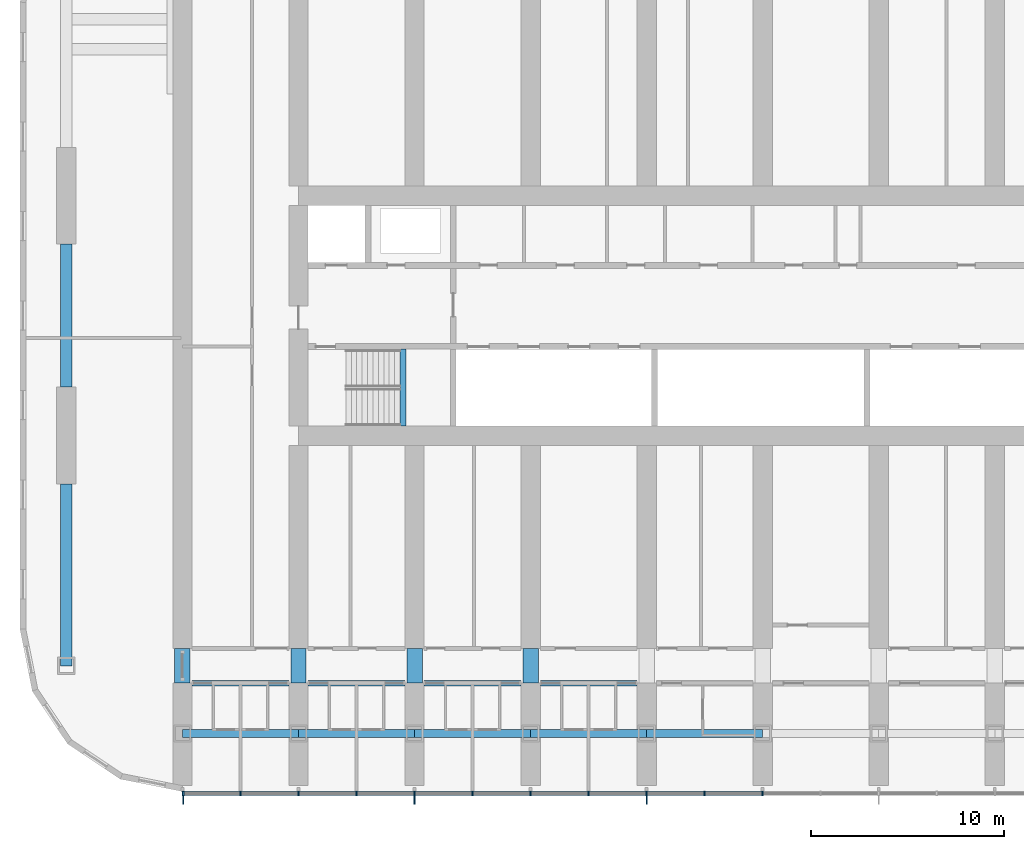
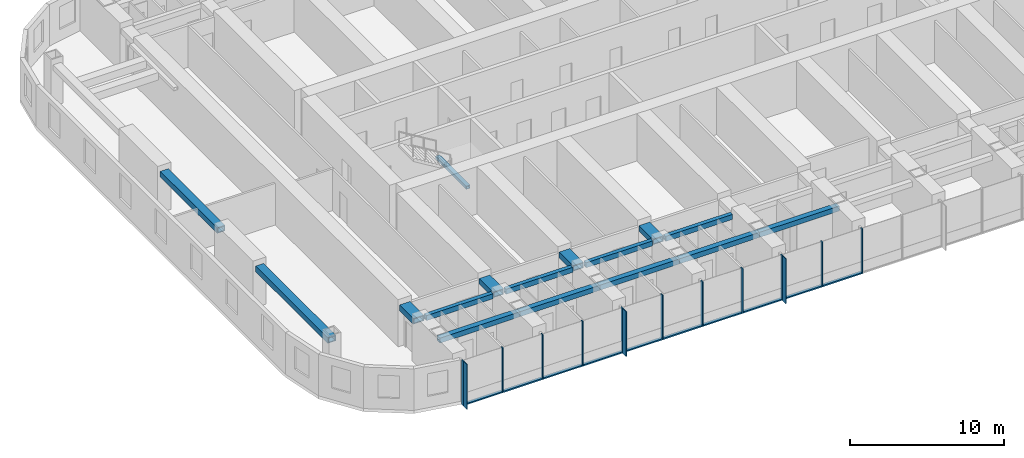
# One storey, part 2 of 24: 24 members, 16 beams, 1 element without a shape of its own.
"""IFC4 building model written with IfcOpenShell, lengths in metres."""

from ifc_helpers import new_model, si_unit, direction, frame, origin, origin_2d, place, context, subcontext, project, spatial, rectangle, hollow_rectangle, extrude, material, material_profile, profile_set, type_object, element, aggregate, save


model = new_model("IFC4")

# Units and contexts
model_context = context("Model", 3, precision=1e-05, world=origin(), true_north=direction((0.0, 1.0)))
body_context = subcontext(model_context, "Body", "Model", "MODEL_VIEW")
ifc_project = project(units=[si_unit("LENGTHUNIT", "METRE"), si_unit("AREAUNIT", "SQUARE_METRE"), si_unit("VOLUMEUNIT", "CUBIC_METRE"), si_unit("PLANEANGLEUNIT", "RADIAN"), si_unit("MASSUNIT", "GRAM", prefix="KILO")], contexts=[model_context])

# Site, building, storey
site_placement = place(None, origin())
site = spatial("IfcSite", under=ifc_project, at=site_placement, CompositionType="ELEMENT")
building_placement = place(site_placement, origin())
building = spatial("IfcBuilding", under=site, at=building_placement, Name="Orbita Commons", CompositionType="ELEMENT")
storey_placement = place(building_placement, frame((0.0, 0.0, 35.199951171875)))
storey = spatial("IfcBuildingStorey", under=building, at=storey_placement, Name="L08", CompositionType="ELEMENT", Elevation=35.199951171875)

# Curtain wall, members
ifc_material_1 = material(Name="Anodised aluminium frame, pale silver", Category="aluminium")
curtain_wall_type = type_object("IfcCurtainWallType", Name="Unitised curtain wall CW-T, vision and spandrel", PredefinedType="NOTDEFINED", material=ifc_material_1)
curtain_wall_placement = place(storey_placement, origin())
curtain_wall = element("IfcCurtainWall", 1, at=curtain_wall_placement, inside=storey, type_object=curtain_wall_type, Name="Curtain wall south L08", PredefinedType="NOTDEFINED")
ifc_material_2 = material(Name="Anodised aluminium, pale silver", Category="aluminium")
ifc_material_profile_1 = material_profile(ifc_material_2, rectangle(XDim=0.080078125, YDim=0.219970703125, at=origin_2d()), Name="AL 80x220")
ifc_profile_set_1 = profile_set([ifc_material_profile_1], Name="Anodised aluminium, pale silver")
member_type_1 = type_object("IfcMemberType", Name="Curtain wall mullion 80x220", PredefinedType="MULLION", material=ifc_profile_set_1)
member_1_placement = place(storey_placement, frame((12.0400390625, 7.2900390625, -0.25), z_axis=(0.0, 0.0, 1.0), x_axis=(1.0, 0.0, 0.0)))
member_1 = element("IfcMember", 2, at=member_1_placement, type_object=member_type_1, Name="Mullion 1 CW-L08-S", PredefinedType="MULLION", context=body_context, shape_type="SweptSolid", body=[
    extrude(rectangle(XDim=0.080078125, YDim=0.219970703125, at=origin_2d()), origin(), (0.0, 0.0, 1.0), 3.550048828125),
])
member_2_placement = place(storey_placement, frame((15.0, 7.2900390625, -0.25), z_axis=(0.0, 0.0, 1.0), x_axis=(1.0, 0.0, 0.0)))
member_2 = element("IfcMember", 3, at=member_2_placement, type_object=member_type_1, Name="Mullion 2 CW-L08-S", PredefinedType="MULLION", context=body_context, shape_type="SweptSolid", body=[
    extrude(rectangle(XDim=0.080078125, YDim=0.219970703125, at=origin_2d()), origin(), (0.0, 0.0, 1.0), 3.550048828125),
])
member_3_placement = place(storey_placement, frame((18.0, 7.2900390625, -0.25), z_axis=(0.0, 0.0, 1.0), x_axis=(1.0, 0.0, 0.0)))
member_3 = element("IfcMember", 4, at=member_3_placement, type_object=member_type_1, Name="Mullion 3 CW-L08-S", PredefinedType="MULLION", context=body_context, shape_type="SweptSolid", body=[
    extrude(rectangle(XDim=0.080078125, YDim=0.219970703125, at=origin_2d()), origin(), (0.0, 0.0, 1.0), 3.550048828125),
])
member_4_placement = place(storey_placement, frame((21.0, 7.2900390625, -0.25), z_axis=(0.0, 0.0, 1.0), x_axis=(1.0, 0.0, 0.0)))
member_4 = element("IfcMember", 5, at=member_4_placement, type_object=member_type_1, Name="Mullion 4 CW-L08-S", PredefinedType="MULLION", context=body_context, shape_type="SweptSolid", body=[
    extrude(rectangle(XDim=0.080078125, YDim=0.219970703125, at=origin_2d()), origin(), (0.0, 0.0, 1.0), 3.550048828125),
])
member_5_placement = place(storey_placement, frame((24.0, 7.2900390625, -0.25), z_axis=(0.0, 0.0, 1.0), x_axis=(1.0, 0.0, 0.0)))
member_5 = element("IfcMember", 6, at=member_5_placement, type_object=member_type_1, Name="Mullion 5 CW-L08-S", PredefinedType="MULLION", context=body_context, shape_type="SweptSolid", body=[
    extrude(rectangle(XDim=0.080078125, YDim=0.219970703125, at=origin_2d()), origin(), (0.0, 0.0, 1.0), 3.550048828125),
])
member_6_placement = place(storey_placement, frame((27.0, 7.2900390625, -0.25), z_axis=(0.0, 0.0, 1.0), x_axis=(1.0, 0.0, 0.0)))
member_6 = element("IfcMember", 7, at=member_6_placement, type_object=member_type_1, Name="Mullion 6 CW-L08-S", PredefinedType="MULLION", context=body_context, shape_type="SweptSolid", body=[
    extrude(rectangle(XDim=0.080078125, YDim=0.219970703125, at=origin_2d()), origin(), (0.0, 0.0, 1.0), 3.550048828125),
])
member_7_placement = place(storey_placement, frame((30.0, 7.2900390625, -0.25), z_axis=(0.0, 0.0, 1.0), x_axis=(1.0, 0.0, 0.0)))
member_7 = element("IfcMember", 8, at=member_7_placement, type_object=member_type_1, Name="Mullion 7 CW-L08-S", PredefinedType="MULLION", context=body_context, shape_type="SweptSolid", body=[
    extrude(rectangle(XDim=0.080078125, YDim=0.219970703125, at=origin_2d()), origin(), (0.0, 0.0, 1.0), 3.550048828125),
])
member_8_placement = place(storey_placement, frame((33.0, 7.2900390625, -0.25), z_axis=(0.0, 0.0, 1.0), x_axis=(1.0, 0.0, 0.0)))
member_8 = element("IfcMember", 9, at=member_8_placement, type_object=member_type_1, Name="Mullion 8 CW-L08-S", PredefinedType="MULLION", context=body_context, shape_type="SweptSolid", body=[
    extrude(rectangle(XDim=0.080078125, YDim=0.219970703125, at=origin_2d()), origin(), (0.0, 0.0, 1.0), 3.550048828125),
])
member_9_placement = place(storey_placement, frame((36.0, 7.2900390625, -0.25), z_axis=(0.0, 0.0, 1.0), x_axis=(1.0, 0.0, 0.0)))
member_9 = element("IfcMember", 10, at=member_9_placement, type_object=member_type_1, Name="Mullion 9 CW-L08-S", PredefinedType="MULLION", context=body_context, shape_type="SweptSolid", body=[
    extrude(rectangle(XDim=0.080078125, YDim=0.219970703125, at=origin_2d()), origin(), (0.0, 0.0, 1.0), 3.550048828125),
])
member_10_placement = place(storey_placement, frame((39.0, 7.2900390625, -0.25), z_axis=(0.0, 0.0, 1.0), x_axis=(1.0, 0.0, 0.0)))
member_10 = element("IfcMember", 11, at=member_10_placement, type_object=member_type_1, Name="Mullion 10 CW-L08-S", PredefinedType="MULLION", context=body_context, shape_type="SweptSolid", body=[
    extrude(rectangle(XDim=0.080078125, YDim=0.219970703125, at=origin_2d()), origin(), (0.0, 0.0, 1.0), 3.550048828125),
])
member_11_placement = place(storey_placement, frame((42.0, 7.2900390625, -0.25), z_axis=(0.0, 0.0, 1.0), x_axis=(1.0, 0.0, 0.0)))
member_11 = element("IfcMember", 12, at=member_11_placement, type_object=member_type_1, Name="Mullion 11 CW-L08-S", PredefinedType="MULLION", context=body_context, shape_type="SweptSolid", body=[
    extrude(rectangle(XDim=0.080078125, YDim=0.219970703125, at=origin_2d()), origin(), (0.0, 0.0, 1.0), 3.550048828125),
])
ifc_material_3 = material(Name="Anodised aluminium, pale silver", Category="aluminium")
ifc_material_profile_2 = material_profile(ifc_material_3, rectangle(XDim=0.219970703125, YDim=0.10009765625, at=origin_2d()), Name="AL 220x100")
ifc_profile_set_2 = profile_set([ifc_material_profile_2], Name="Anodised aluminium, pale silver")
member_type_2 = type_object("IfcMemberType", Name="Curtain wall stack transom 220x100", PredefinedType="USERDEFINED", material=ifc_profile_set_2)
member_12_placement = place(storey_placement, frame((12.080078125, 7.2900390625, -0.199951171875), z_axis=(1.0, 0.0, 0.0), x_axis=(0.0, 1.0, 0.0)))
member_12 = element("IfcMember", 13, at=member_12_placement, type_object=member_type_2, Name="Transom 1.1 CW-L08-S", ObjectType="TRANSOM", PredefinedType="USERDEFINED", context=body_context, shape_type="SweptSolid", body=[
    extrude(rectangle(XDim=0.219970703125, YDim=0.10009765625, at=origin_2d()), origin(), (0.0, 0.0, 1.0), 2.8798828125),
])
member_13_placement = place(storey_placement, frame((15.0400390625, 7.2900390625, -0.199951171875), z_axis=(1.0, 0.0, 0.0), x_axis=(0.0, 1.0, 0.0)))
member_13 = element("IfcMember", 14, at=member_13_placement, type_object=member_type_2, Name="Transom 2.1 CW-L08-S", ObjectType="TRANSOM", PredefinedType="USERDEFINED", context=body_context, shape_type="SweptSolid", body=[
    extrude(rectangle(XDim=0.219970703125, YDim=0.10009765625, at=origin_2d()), origin(), (0.0, 0.0, 1.0), 2.919921875),
])
member_14_placement = place(storey_placement, frame((18.0400390625, 7.2900390625, -0.199951171875), z_axis=(1.0, 0.0, 0.0), x_axis=(0.0, 1.0, 0.0)))
member_14 = element("IfcMember", 15, at=member_14_placement, type_object=member_type_2, Name="Transom 3.1 CW-L08-S", ObjectType="TRANSOM", PredefinedType="USERDEFINED", context=body_context, shape_type="SweptSolid", body=[
    extrude(rectangle(XDim=0.219970703125, YDim=0.10009765625, at=origin_2d()), origin(), (0.0, 0.0, 1.0), 2.919921875),
])
member_15_placement = place(storey_placement, frame((21.0400390625, 7.2900390625, -0.199951171875), z_axis=(1.0, 0.0, 0.0), x_axis=(0.0, 1.0, 0.0)))
member_15 = element("IfcMember", 16, at=member_15_placement, type_object=member_type_2, Name="Transom 4.1 CW-L08-S", ObjectType="TRANSOM", PredefinedType="USERDEFINED", context=body_context, shape_type="SweptSolid", body=[
    extrude(rectangle(XDim=0.219970703125, YDim=0.10009765625, at=origin_2d()), origin(), (0.0, 0.0, 1.0), 2.919921875),
])
member_16_placement = place(storey_placement, frame((24.0400390625, 7.2900390625, -0.199951171875), z_axis=(1.0, 0.0, 0.0), x_axis=(0.0, 1.0, 0.0)))
member_16 = element("IfcMember", 17, at=member_16_placement, type_object=member_type_2, Name="Transom 5.1 CW-L08-S", ObjectType="TRANSOM", PredefinedType="USERDEFINED", context=body_context, shape_type="SweptSolid", body=[
    extrude(rectangle(XDim=0.219970703125, YDim=0.10009765625, at=origin_2d()), origin(), (0.0, 0.0, 1.0), 2.919921875),
])
member_17_placement = place(storey_placement, frame((27.0400390625, 7.2900390625, -0.199951171875), z_axis=(1.0, 0.0, 0.0), x_axis=(0.0, 1.0, 0.0)))
member_17 = element("IfcMember", 18, at=member_17_placement, type_object=member_type_2, Name="Transom 6.1 CW-L08-S", ObjectType="TRANSOM", PredefinedType="USERDEFINED", context=body_context, shape_type="SweptSolid", body=[
    extrude(rectangle(XDim=0.219970703125, YDim=0.10009765625, at=origin_2d()), origin(), (0.0, 0.0, 1.0), 2.919921875),
])
member_18_placement = place(storey_placement, frame((30.0400390625, 7.2900390625, -0.199951171875), z_axis=(1.0, 0.0, 0.0), x_axis=(0.0, 1.0, 0.0)))
member_18 = element("IfcMember", 19, at=member_18_placement, type_object=member_type_2, Name="Transom 7.1 CW-L08-S", ObjectType="TRANSOM", PredefinedType="USERDEFINED", context=body_context, shape_type="SweptSolid", body=[
    extrude(rectangle(XDim=0.219970703125, YDim=0.10009765625, at=origin_2d()), origin(), (0.0, 0.0, 1.0), 2.919921875),
])
member_19_placement = place(storey_placement, frame((33.0400390625, 7.2900390625, -0.199951171875), z_axis=(1.0, 0.0, 0.0), x_axis=(0.0, 1.0, 0.0)))
member_19 = element("IfcMember", 20, at=member_19_placement, type_object=member_type_2, Name="Transom 8.1 CW-L08-S", ObjectType="TRANSOM", PredefinedType="USERDEFINED", context=body_context, shape_type="SweptSolid", body=[
    extrude(rectangle(XDim=0.219970703125, YDim=0.10009765625, at=origin_2d()), origin(), (0.0, 0.0, 1.0), 2.919921875),
])
member_20_placement = place(storey_placement, frame((36.0400390625, 7.2900390625, -0.199951171875), z_axis=(1.0, 0.0, 0.0), x_axis=(0.0, 1.0, 0.0)))
member_20 = element("IfcMember", 21, at=member_20_placement, type_object=member_type_2, Name="Transom 9.1 CW-L08-S", ObjectType="TRANSOM", PredefinedType="USERDEFINED", context=body_context, shape_type="SweptSolid", body=[
    extrude(rectangle(XDim=0.219970703125, YDim=0.10009765625, at=origin_2d()), origin(), (0.0, 0.0, 1.0), 2.919921875),
])
member_21_placement = place(storey_placement, frame((39.0400390625, 7.2900390625, -0.199951171875), z_axis=(1.0, 0.0, 0.0), x_axis=(0.0, 1.0, 0.0)))
member_21 = element("IfcMember", 22, at=member_21_placement, type_object=member_type_2, Name="Transom 10.1 CW-L08-S", ObjectType="TRANSOM", PredefinedType="USERDEFINED", context=body_context, shape_type="SweptSolid", body=[
    extrude(rectangle(XDim=0.219970703125, YDim=0.10009765625, at=origin_2d()), origin(), (0.0, 0.0, 1.0), 2.919921875),
])

# Beams
ifc_material_4 = material(Name="Steel ASTM A572 Gr 50 welded plate", Category="steel")
ifc_material_profile_3 = material_profile(ifc_material_4, hollow_rectangle(XDim=0.300048828125, YDim=0.25, WallThickness=0.02490234375, at=origin_2d()), Name="BOX 250x300x25")
ifc_profile_set_3 = profile_set([ifc_material_profile_3], Name="Steel ASTM A572 Gr 50 welded plate")
beam_type_1 = type_object("IfcBeamType", Name="Stair landing beam steel BOX 250x300x25", PredefinedType="BEAM", material=ifc_profile_set_3)
beam_1_placement = place(storey_placement, frame((23.39990234375, 26.284912109375, 1.550048828125), z_axis=(0.0, 1.0, 0.0), x_axis=(-1.0, 0.0, 0.0)))
element("IfcBeam", 23, at=beam_1_placement, inside=storey, type_object=beam_type_1, Name="Stair S1 landing beam L08 1", PredefinedType="BEAM", context=body_context, shape_type="SweptSolid", body=[
    extrude(hollow_rectangle(XDim=0.300048828125, YDim=0.25, WallThickness=0.02490234375, at=origin_2d()), origin(), (0.0, 0.0, 1.0), 3.97998046875),
])
ifc_material_5 = material(Name="Steel ASTM A572 Gr 50 welded plate", Category="steel")
ifc_material_profile_4 = material_profile(ifc_material_5, hollow_rectangle(XDim=0.300048828125, YDim=0.39990234375, WallThickness=0.0400390625, at=origin_2d()), Name="BOX 400x300x40")
ifc_profile_set_4 = profile_set([ifc_material_profile_4], Name="Steel ASTM A572 Gr 50 welded plate")
beam_type_2 = type_object("IfcBeamType", Name="Steel corridor link BOX 400x300x40", PredefinedType="BEAM", material=ifc_profile_set_4)
for number, where, z_axis, x_axis, name in (
    (24, (12.5, 13.0, 3.10009765625), (1.0, 0.0, 0.0), (0.0, 1.0, 0.0), "Corridor beam SA 3-4 L08"),
    (25, (18.5, 13.0, 3.10009765625), (1.0, 0.0, 0.0), (0.0, 1.0, 0.0), "Corridor beam SA 4-5 L08"),
    (26, (24.5, 13.0, 3.10009765625), (1.0, 0.0, 0.0), (0.0, 1.0, 0.0), "Corridor beam SA 5-6 L08"),
    (27, (30.5, 13.0, 3.10009765625), (1.0, 0.0, 0.0), (0.0, 1.0, 0.0), "Corridor beam SA 6-7 L08"),
):
    element("IfcBeam", number, at=place(storey_placement, frame(where, z_axis=z_axis, x_axis=x_axis)), inside=storey, type_object=beam_type_2, Name=name, PredefinedType="BEAM", context=body_context, shape_type="SweptSolid", body=[
        extrude(hollow_rectangle(XDim=0.300048828125, YDim=0.39990234375, WallThickness=0.0400390625, at=origin_2d()), origin(), (0.0, 0.0, 1.0), 5.0),
    ])
ifc_material_6 = material(Name="Steel ASTM A572 Gr 50 welded plate", Category="steel")
ifc_material_profile_5 = material_profile(ifc_material_6, hollow_rectangle(XDim=0.800048828125, YDim=0.449951171875, WallThickness=0.06005859375, at=origin_2d()), Name="BOX 450x800x60")
ifc_profile_set_5 = profile_set([ifc_material_profile_5], Name="Steel ASTM A572 Gr 50 welded plate")
beam_type_3 = type_object("IfcBeamType", Name="Steel coupling link BOX 450x800x60", PredefinedType="LINTEL", material=ifc_profile_set_5)
for number, where, z_axis, x_axis, name in (
    (28, (12.0, 13.0, 3.074951171875), (0.0, 1.0, 0.0), (-1.0, 0.0, 0.0), "Coupling beam 3 south L08"),
    (29, (18.0, 13.0, 3.074951171875), (0.0, 1.0, 0.0), (-1.0, 0.0, 0.0), "Coupling beam 4 south L08"),
    (30, (24.0, 13.0, 3.074951171875), (0.0, 1.0, 0.0), (-1.0, 0.0, 0.0), "Coupling beam 5 south L08"),
    (31, (30.0, 13.0, 3.074951171875), (0.0, 1.0, 0.0), (-1.0, 0.0, 0.0), "Coupling beam 6 south L08"),
):
    element("IfcBeam", number, at=place(storey_placement, frame(where, z_axis=z_axis, x_axis=x_axis)), inside=storey, type_object=beam_type_3, Name=name, PredefinedType="LINTEL", context=body_context, shape_type="SweptSolid", body=[
        extrude(hollow_rectangle(XDim=0.800048828125, YDim=0.449951171875, WallThickness=0.06005859375, at=origin_2d()), origin(), (0.0, 0.0, 1.0), 1.800048828125),
    ])
ifc_material_7 = material(Name="Steel ASTM A572 Gr 50 welded plate", Category="steel")
ifc_material_profile_6 = material_profile(ifc_material_7, hollow_rectangle(XDim=0.60009765625, YDim=0.449951171875, WallThickness=0.06005859375, at=origin_2d()), Name="BOX 450x600x60")
ifc_profile_set_6 = profile_set([ifc_material_profile_6], Name="Steel ASTM A572 Gr 50 welded plate")
beam_type_4 = type_object("IfcBeamType", Name="Steel end frame link BOX 450x600x60", PredefinedType="BEAM", material=ifc_profile_set_6)
beam_2_placement = place(storey_placement, frame((6.0, 13.89990234375, 3.074951171875), z_axis=(0.0, 1.0, 0.0), x_axis=(-1.0, 0.0, 0.0)))
element("IfcBeam", 32, at=beam_2_placement, inside=storey, type_object=beam_type_4, Name="End frame beam 2 B-C L08", PredefinedType="BEAM", context=body_context, shape_type="SweptSolid", body=[
    extrude(hollow_rectangle(XDim=0.60009765625, YDim=0.449951171875, WallThickness=0.06005859375, at=origin_2d()), origin(), (0.0, 0.0, 1.0), 9.400146484375),
])
beam_3_placement = place(storey_placement, frame((6.0, 28.300048828125, 3.074951171875), z_axis=(0.0, 1.0, 0.0), x_axis=(-1.0, 0.0, 0.0)))
element("IfcBeam", 33, at=beam_3_placement, inside=storey, type_object=beam_type_4, Name="End frame beam 2 C-D L08", PredefinedType="BEAM", context=body_context, shape_type="SweptSolid", body=[
    extrude(hollow_rectangle(XDim=0.60009765625, YDim=0.449951171875, WallThickness=0.06005859375, at=origin_2d()), origin(), (0.0, 0.0, 1.0), 7.39990234375),
])
ifc_material_8 = material(Name="Steel ASTM A572 Gr 50 welded plate", Category="steel")
ifc_material_profile_7 = material_profile(ifc_material_8, hollow_rectangle(XDim=0.39990234375, YDim=0.39990234375, WallThickness=0.0400390625, at=origin_2d()), Name="BOX 400x400x40")
ifc_profile_set_7 = profile_set([ifc_material_profile_7], Name="Steel ASTM A572 Gr 50 welded plate")
beam_type_5 = type_object("IfcBeamType", Name="Steel spandrel BOX 400x400x40", PredefinedType="SPANDREL", material=ifc_profile_set_7)
for number, where, z_axis, x_axis, name in (
    (34, (12.0, 10.39990234375, 3.10009765625), (1.0, 0.0, 0.0), (0.0, 1.0, 0.0), "Spandrel beam B 3-4 L08"),
    (35, (18.0, 10.39990234375, 3.10009765625), (1.0, 0.0, 0.0), (0.0, 1.0, 0.0), "Spandrel beam B 4-5 L08"),
    (36, (24.0, 10.39990234375, 3.10009765625), (1.0, 0.0, 0.0), (0.0, 1.0, 0.0), "Spandrel beam B 5-6 L08"),
    (37, (30.0, 10.39990234375, 3.10009765625), (1.0, 0.0, 0.0), (0.0, 1.0, 0.0), "Spandrel beam B 6-7 L08"),
    (38, (36.0, 10.39990234375, 3.10009765625), (1.0, 0.0, 0.0), (0.0, 1.0, 0.0), "Spandrel beam B 7-8 L08"),
):
    element("IfcBeam", number, at=place(storey_placement, frame(where, z_axis=z_axis, x_axis=x_axis)), inside=storey, type_object=beam_type_5, Name=name, PredefinedType="SPANDREL", context=body_context, shape_type="SweptSolid", body=[
        extrude(hollow_rectangle(XDim=0.39990234375, YDim=0.39990234375, WallThickness=0.0400390625, at=origin_2d()), origin(), (0.0, 0.0, 1.0), 6.0),
    ])

# Member
ifc_material_9 = material(Name="Anodised aluminium, pale silver", Category="aluminium")
ifc_material_profile_8 = material_profile(ifc_material_9, rectangle(XDim=0.06005859375, YDim=0.449951171875, at=origin_2d()), Name="FIN 60x450")
ifc_profile_set_8 = profile_set([ifc_material_profile_8], Name="Anodised aluminium, pale silver")
member_type_3 = type_object("IfcMemberType", Name="Vertical fin 60x450 pale aluminium", PredefinedType="USERDEFINED", material=ifc_profile_set_8)
member_22_placement = place(storey_placement, frame((12.0400390625, 6.955078125, -0.25), z_axis=(0.0, 0.0, 1.0), x_axis=(1.0, 0.0, 0.0)))
member_22 = element("IfcMember", 39, at=member_22_placement, type_object=member_type_3, Name="Fin 1 CW-L08-S", ObjectType="FIN", PredefinedType="USERDEFINED", context=body_context, shape_type="SweptSolid", body=[
    extrude(rectangle(XDim=0.06005859375, YDim=0.449951171875, at=origin_2d()), origin(), (0.0, 0.0, 1.0), 3.550048828125),
])

member_23_placement = place(storey_placement, frame((24.0, 6.955078125, -0.25), z_axis=(0.0, 0.0, 1.0), x_axis=(1.0, 0.0, 0.0)))
member_23 = element("IfcMember", 40, at=member_23_placement, type_object=member_type_3, Name="Fin 5 CW-L08-S", ObjectType="FIN", PredefinedType="USERDEFINED", context=body_context, shape_type="SweptSolid", body=[
    extrude(rectangle(XDim=0.06005859375, YDim=0.449951171875, at=origin_2d()), origin(), (0.0, 0.0, 1.0), 3.550048828125),
])

member_24_placement = place(storey_placement, frame((36.0, 6.955078125, -0.25), z_axis=(0.0, 0.0, 1.0), x_axis=(1.0, 0.0, 0.0)))
member_24 = element("IfcMember", 41, at=member_24_placement, type_object=member_type_3, Name="Fin 9 CW-L08-S", ObjectType="FIN", PredefinedType="USERDEFINED", context=body_context, shape_type="SweptSolid", body=[
    extrude(rectangle(XDim=0.06005859375, YDim=0.449951171875, at=origin_2d()), origin(), (0.0, 0.0, 1.0), 3.550048828125),
])

aggregate(curtain_wall, [member_1, member_22, member_2, member_3, member_4, member_5, member_23, member_6, member_7, member_8, member_9, member_24, member_10, member_11, member_12, member_13, member_14, member_15, member_16, member_17, member_18, member_19, member_20, member_21])

save(model, "model.ifc")
